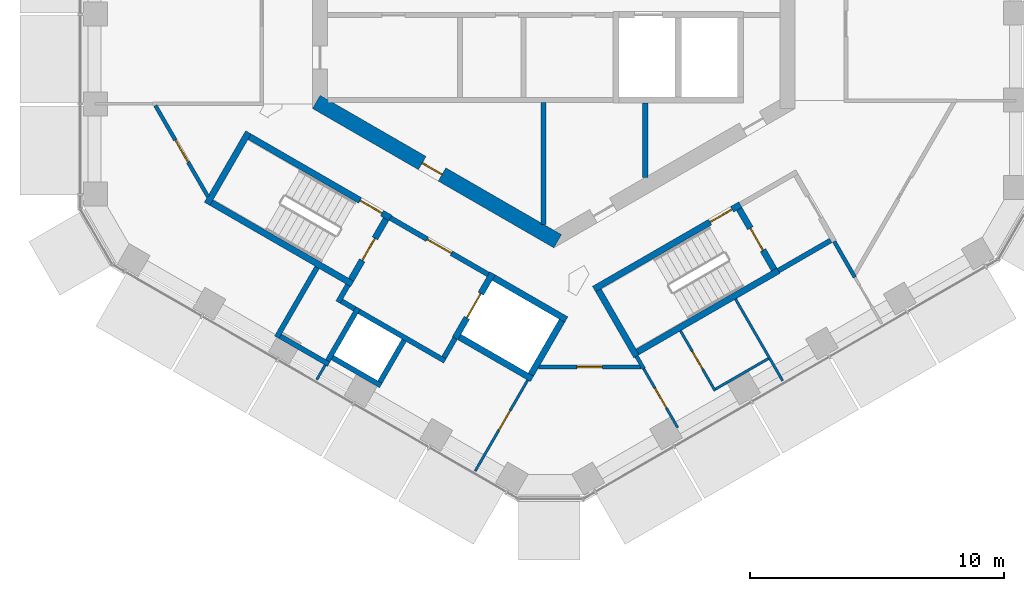
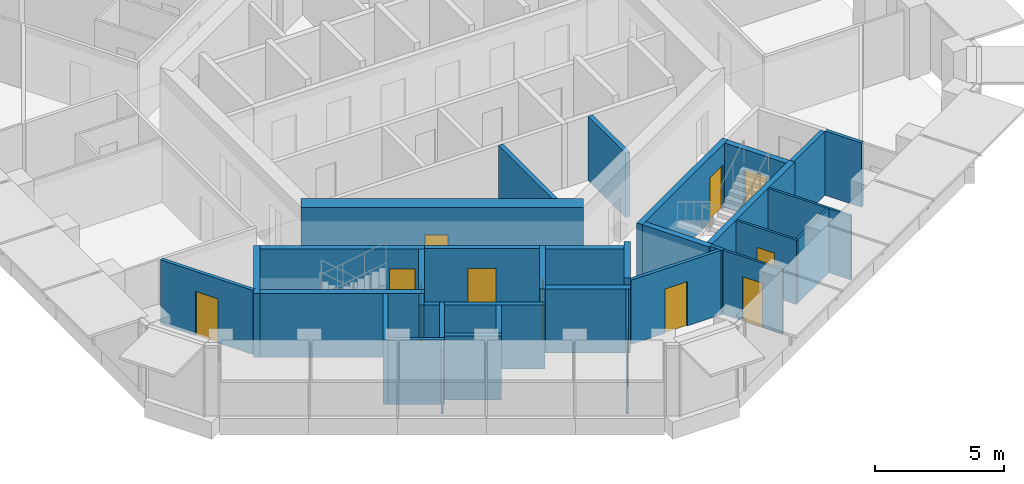
# One storey, part 13 of 18: 36 walls, 12 doors, 12 openings.
"""IFC4 building model written with IfcOpenShell, lengths in metres."""

from ifc_helpers import new_model, si_unit, direction, frame, frame_2d, origin, place, context, subcontext, project, spatial, rectangle, extrude, material, layer, layer_set, type_object, element, fill, save


model = new_model("IFC4")

# Units and contexts
model_context = context("Model", 3, precision=1e-05, world=origin(), true_north=direction((0.0, 1.0)))
body_context = subcontext(model_context, "Body", "Model", "MODEL_VIEW")
ifc_project = project(units=[si_unit("LENGTHUNIT", "METRE"), si_unit("AREAUNIT", "SQUARE_METRE"), si_unit("VOLUMEUNIT", "CUBIC_METRE"), si_unit("PLANEANGLEUNIT", "RADIAN"), si_unit("MASSUNIT", "GRAM", prefix="KILO")], contexts=[model_context])

# Site, building, storey
site_placement = place(None, origin())
site = spatial("IfcSite", under=ifc_project, at=site_placement, CompositionType="ELEMENT")
building_placement = place(site_placement, origin())
building = spatial("IfcBuilding", under=site, at=building_placement, Name="Ayvan Gate Tower", CompositionType="ELEMENT")
storey_placement = place(building_placement, frame((0.0, 0.0, 159.5)))
storey = spatial("IfcBuildingStorey", under=building, at=storey_placement, Name="L42", CompositionType="ELEMENT", Elevation=159.5)

# Wall, opening, door
ifc_material_1 = material(Name="Concrete C60/75", Category="concrete")
ifc_layer_1 = layer(ifc_material_1, 0.60009765625)
ifc_layer_set_1 = layer_set([ifc_layer_1], Name="Concrete C60/75")
wall_type_1 = type_object("IfcWallType", Name="Core wall 600 C60/75", PredefinedType="SHEAR", material=ifc_layer_set_1)
wall_1_placement = place(storey_placement, frame((-9.35009765625, -5.22509765625, 0.0), z_axis=(0.0, 0.0, 1.0), x_axis=(0.866023993627, -0.500002442456, 0.0)))
wall_1 = element("IfcWall", 1, at=wall_1_placement, inside=storey, type_object=wall_type_1, Name="CORE-L42-4", PredefinedType="SHEAR", context=body_context, shape_type="SweptSolid", body=[
    extrude(rectangle(XDim=10.9697265625, YDim=0.60009765625, at=frame_2d((5.48486328125, 0.0))), origin(), (0.0, 0.0, 1.0), 3.39990234375),
])
opening_1_placement = place(wall_1_placement, frame((4.81591796875, 0.0, 0.0)))
opening_1 = element("IfcOpeningElement", 2, at=opening_1_placement, cuts=wall_1, Name="Opening L42-D49", PredefinedType="OPENING", context=body_context, shape_type="SweptSolid", body=[
    extrude(rectangle(XDim=0.89990234375, YDim=2.10009765625, at=frame_2d((0.449951171875, 1.050048828125))), frame((0.0, 0.31005859375, 0.0), z_axis=(0.0, -1.0, 0.0), x_axis=(1.0, 0.0, 0.0)), (0.0, 0.0, 1.0), 0.6201171875),
])
ifc_material_2 = material(Name="Timber door leaf", Category="wood")
door_type_1 = type_object("IfcDoorType", Name="DT-900", OperationType="NOTDEFINED", PredefinedType="DOOR", material=ifc_material_2)
door_1_placement = place(opening_1_placement, origin())
door_1 = element("IfcDoor", 3, at=door_1_placement, inside=storey, type_object=door_type_1, Name="CD-L42-49", OperationType="SINGLE_SWING_LEFT", OverallHeight=2.10009765625, OverallWidth=0.89990234375, PredefinedType="DOOR", context=body_context, shape_type="SweptSolid", body=[
    extrude(rectangle(XDim=0.89990234375, YDim=2.10009765625, at=frame_2d((0.449951171875, 1.050048828125))), frame((0.0, 0.02490234375, 0.0), z_axis=(0.0, -1.0, 0.0), x_axis=(1.0, 0.0, 0.0)), (0.0, 0.0, 1.0), 0.050048828125),
])
fill(opening_1, door_1)

ifc_material_3 = material(Name="Plasterboard on steel stud", Category="steel")
ifc_layer_2 = layer(ifc_material_3, 0.14990234375)
ifc_layer_set_2 = layer_set([ifc_layer_2], Name="Plasterboard on steel stud")
wall_type_2 = type_object("IfcWallType", Name="WT-CORR-150", PredefinedType="PARTITIONING", material=ifc_layer_set_2)
wall_2_placement = place(storey_placement, frame((-13.611328125, -8.958984375, 0.0), z_axis=(0.0, 0.0, 1.0), x_axis=(-0.499994179242, 0.866028764375, 0.0)))
wall_2 = element("IfcWall", 4, at=wall_2_placement, inside=storey, type_object=wall_type_2, Name="IW-L42-008", PredefinedType="PARTITIONING", context=body_context, shape_type="SweptSolid", body=[
    extrude(rectangle(XDim=4.14794921875, YDim=0.14990234375, at=frame_2d((2.073974609375, 0.0))), origin(), (0.0, 0.0, 1.0), 3.050048828125),
])
opening_2_placement = place(wall_2_placement, frame((1.573974609375, 0.0, 0.0)))
opening_2 = element("IfcOpeningElement", 5, at=opening_2_placement, cuts=wall_2, Name="Opening L42-D32", PredefinedType="OPENING", context=body_context, shape_type="SweptSolid", body=[
    extrude(rectangle(XDim=1.0, YDim=2.10009765625, at=frame_2d((0.5, 1.050048828125))), frame((0.0, 0.0849609375, 0.0), z_axis=(0.0, -1.0, 0.0), x_axis=(1.0, 0.0, 0.0)), (0.0, 0.0, 1.0), 0.169921875),
])
door_type_2 = type_object("IfcDoorType", Name="DT-1000", OperationType="NOTDEFINED", PredefinedType="DOOR", material=ifc_material_2)
door_2_placement = place(opening_2_placement, origin())
door_2 = element("IfcDoor", 6, at=door_2_placement, inside=storey, type_object=door_type_2, Name="ID-L42-032", OperationType="SINGLE_SWING_RIGHT", OverallHeight=2.10009765625, OverallWidth=1.0, PredefinedType="DOOR", context=body_context, shape_type="SweptSolid", body=[
    extrude(rectangle(XDim=1.0, YDim=2.10009765625, at=frame_2d((0.5, 1.050048828125))), frame((0.0, 0.02490234375, 0.0), z_axis=(0.0, -1.0, 0.0), x_axis=(1.0, 0.0, 0.0)), (0.0, 0.0, 1.0), 0.050048828125),
])
fill(opening_2, door_2)

# Wall
wall_3_placement = place(storey_placement, frame((3.255615234375, -15.23876953125, 0.0), z_axis=(0.0, 0.0, 1.0), x_axis=(0.49987077196, -0.866100000774, 0.0)))
element("IfcWall", 7, at=wall_3_placement, inside=storey, type_object=wall_type_2, Name="IW-L42-068", PredefinedType="PARTITIONING", context=body_context, shape_type="SweptSolid", body=[
    extrude(rectangle(XDim=0.570068359375, YDim=0.14990234375, at=frame_2d((0.28515625, 0.0))), origin(), (0.0, 0.0, 1.0), 3.050048828125),
])

# Wall, opening, door
wall_4_placement = place(storey_placement, frame((3.427978515625, -15.66748046875, 0.0), z_axis=(0.0, 0.0, 1.0), x_axis=(-1.0, 0.0, 0.0)))
wall_4 = element("IfcWall", 8, at=wall_4_placement, inside=storey, type_object=wall_type_2, Name="IW-L42-071", PredefinedType="PARTITIONING", context=body_context, shape_type="SweptSolid", body=[
    extrude(rectangle(XDim=4.03466796875, YDim=0.14990234375, at=frame_2d((2.017333984375, 0.0))), origin(), (0.0, 0.0, 1.0), 3.050048828125),
])
opening_3_placement = place(wall_4_placement, frame((1.517333984375, 0.0, 0.0)))
opening_3 = element("IfcOpeningElement", 9, at=opening_3_placement, cuts=wall_4, Name="Opening L42-D33", PredefinedType="OPENING", context=body_context, shape_type="SweptSolid", body=[
    extrude(rectangle(XDim=1.0, YDim=2.10009765625, at=frame_2d((0.5, 1.050048828125))), frame((0.0, 0.0849609375, 0.0), z_axis=(0.0, -1.0, 0.0), x_axis=(1.0, 0.0, 0.0)), (0.0, 0.0, 1.0), 0.169921875),
])
door_3_placement = place(opening_3_placement, origin())
door_3 = element("IfcDoor", 10, at=door_3_placement, inside=storey, type_object=door_type_2, Name="ID-L42-033", OperationType="SINGLE_SWING_LEFT", OverallHeight=2.10009765625, OverallWidth=1.0, PredefinedType="DOOR", context=body_context, shape_type="SweptSolid", body=[
    extrude(rectangle(XDim=1.0, YDim=2.10009765625, at=frame_2d((0.5, 1.050048828125))), frame((0.0, 0.02490234375, 0.0), z_axis=(0.0, -1.0, 0.0), x_axis=(1.0, 0.0, 0.0)), (0.0, 0.0, 1.0), 0.050048828125),
])
fill(opening_3, door_3)

# Walls
wall_5_placement = place(storey_placement, frame((11.854248046875, -12.13232421875, 0.0), z_axis=(0.0, 0.0, 1.0), x_axis=(-0.499899205091, 0.866083589932, 0.0)))
element("IfcWall", 11, at=wall_5_placement, inside=storey, type_object=wall_type_2, Name="IW-L42-100", PredefinedType="PARTITIONING", context=body_context, shape_type="SweptSolid", body=[
    extrude(rectangle(XDim=1.634033203125, YDim=0.14990234375, at=frame_2d((0.81689453125, 0.0))), origin(), (0.0, 0.0, 1.0), 3.050048828125),
])
ifc_layer_3 = layer(ifc_material_3, 0.10009765625)
ifc_layer_set_3 = layer_set([ifc_layer_3], Name="Plasterboard on steel stud")
wall_type_3 = type_object("IfcWallType", Name="WT-PART-100", PredefinedType="PARTITIONING", material=ifc_layer_set_3)
wall_6_placement = place(storey_placement, frame((-9.0, -15.58837890625, 0.0), z_axis=(0.0, 0.0, 1.0), x_axis=(-0.500011643316, -0.866018681408, 0.0)))
element("IfcWall", 12, at=wall_6_placement, inside=storey, type_object=wall_type_3, Name="IW-L42-019", PredefinedType="PARTITIONING", context=body_context, shape_type="SweptSolid", body=[
    extrude(rectangle(XDim=0.65771484375, YDim=0.10009765625, at=frame_2d((0.328857421875, 0.0))), origin(), (0.0, 0.0, 1.0), 3.050048828125),
])

# Wall, opening, door
wall_7_placement = place(storey_placement, frame((-3.093505859375, -19.7578125, 0.0), z_axis=(0.0, 0.0, 1.0), x_axis=(0.500027577057, 0.866009481578, 0.0)))
wall_7 = element("IfcWall", 13, at=wall_7_placement, inside=storey, type_object=wall_type_3, Name="IW-L42-046", PredefinedType="PARTITIONING", context=body_context, shape_type="SweptSolid", body=[
    extrude(rectangle(XDim=4.132568359375, YDim=0.10009765625, at=frame_2d((2.06640625, 0.0))), origin(), (0.0, 0.0, 1.0), 3.050048828125),
])
opening_4_placement = place(wall_7_placement, frame((1.851806640625, 0.0, 0.0)))
opening_4 = element("IfcOpeningElement", 14, at=opening_4_placement, cuts=wall_7, Name="Opening L42-D34", PredefinedType="OPENING", context=body_context, shape_type="SweptSolid", body=[
    extrude(rectangle(XDim=0.89990234375, YDim=2.10009765625, at=frame_2d((0.449951171875, 1.050048828125))), frame((0.0, 0.06005859375, 0.0), z_axis=(0.0, -1.0, 0.0), x_axis=(1.0, 0.0, 0.0)), (0.0, 0.0, 1.0), 0.1201171875),
])
door_4_placement = place(opening_4_placement, origin())
door_4 = element("IfcDoor", 15, at=door_4_placement, inside=storey, type_object=door_type_1, Name="ID-L42-034", OperationType="SINGLE_SWING_RIGHT", OverallHeight=2.10009765625, OverallWidth=0.89990234375, PredefinedType="DOOR", context=body_context, shape_type="SweptSolid", body=[
    extrude(rectangle(XDim=0.89990234375, YDim=2.10009765625, at=frame_2d((0.449951171875, 1.050048828125))), frame((0.0, 0.02490234375, 0.0), z_axis=(0.0, -1.0, 0.0), x_axis=(1.0, 0.0, 0.0)), (0.0, 0.0, 1.0), 0.050048828125),
])
fill(opening_4, door_4)

wall_8_placement = place(storey_placement, frame((3.54052734375, -15.732421875, 0.0), z_axis=(0.0, 0.0, 1.0), x_axis=(0.500009734663, -0.866019783401, 0.0)))
wall_8 = element("IfcWall", 16, at=wall_8_placement, inside=storey, type_object=wall_type_3, Name="IW-L42-072", PredefinedType="PARTITIONING", context=body_context, shape_type="SweptSolid", body=[
    extrude(rectangle(XDim=2.6728515625, YDim=0.10009765625, at=frame_2d((1.33642578125, 0.0))), origin(), (0.0, 0.0, 1.0), 3.050048828125),
])
opening_5_placement = place(wall_8_placement, frame((0.886474609375, 0.0, 0.0)))
opening_5 = element("IfcOpeningElement", 17, at=opening_5_placement, cuts=wall_8, Name="Opening L42-D35", PredefinedType="OPENING", context=body_context, shape_type="SweptSolid", body=[
    extrude(rectangle(XDim=0.89990234375, YDim=2.10009765625, at=frame_2d((0.449951171875, 1.050048828125))), frame((0.0, 0.06005859375, 0.0), z_axis=(0.0, -1.0, 0.0), x_axis=(1.0, 0.0, 0.0)), (0.0, 0.0, 1.0), 0.1201171875),
])
door_5_placement = place(opening_5_placement, origin())
door_5 = element("IfcDoor", 18, at=door_5_placement, inside=storey, type_object=door_type_1, Name="ID-L42-035", OperationType="SINGLE_SWING_LEFT", OverallHeight=2.10009765625, OverallWidth=0.89990234375, PredefinedType="DOOR", context=body_context, shape_type="SweptSolid", body=[
    extrude(rectangle(XDim=0.89990234375, YDim=2.10009765625, at=frame_2d((0.449951171875, 1.050048828125))), frame((0.0, 0.02490234375, 0.0), z_axis=(0.0, -1.0, 0.0), x_axis=(1.0, 0.0, 0.0)), (0.0, 0.0, 1.0), 0.050048828125),
])
fill(opening_5, door_5)

wall_9_placement = place(storey_placement, frame((4.987548828125, -14.23876953125, 0.0), z_axis=(0.0, 0.0, 1.0), x_axis=(0.500022328685, -0.866012511928, 0.0)))
wall_9 = element("IfcWall", 19, at=wall_9_placement, inside=storey, type_object=wall_type_3, Name="IW-L42-080", PredefinedType="PARTITIONING", context=body_context, shape_type="SweptSolid", body=[
    extrude(rectangle(XDim=2.72509765625, YDim=0.10009765625, at=frame_2d((1.362548828125, 0.0))), origin(), (0.0, 0.0, 1.0), 3.050048828125),
])
opening_6_placement = place(wall_9_placement, frame((0.9375, 0.0, 0.0)))
opening_6 = element("IfcOpeningElement", 20, at=opening_6_placement, cuts=wall_9, Name="Opening L42-D36", PredefinedType="OPENING", context=body_context, shape_type="SweptSolid", body=[
    extrude(rectangle(XDim=0.800048828125, YDim=2.10009765625, at=frame_2d((0.39990234375, 1.050048828125))), frame((0.0, 0.06005859375, 0.0), z_axis=(0.0, -1.0, 0.0), x_axis=(1.0, 0.0, 0.0)), (0.0, 0.0, 1.0), 0.1201171875),
])
door_type_3 = type_object("IfcDoorType", Name="DT-800", OperationType="NOTDEFINED", PredefinedType="DOOR", material=ifc_material_2)
door_6_placement = place(opening_6_placement, origin())
door_6 = element("IfcDoor", 21, at=door_6_placement, inside=storey, type_object=door_type_3, Name="ID-L42-036", OperationType="SINGLE_SWING_RIGHT", OverallHeight=2.10009765625, OverallWidth=0.800048828125, PredefinedType="DOOR", context=body_context, shape_type="SweptSolid", body=[
    extrude(rectangle(XDim=0.800048828125, YDim=2.10009765625, at=frame_2d((0.39990234375, 1.050048828125))), frame((0.0, 0.02490234375, 0.0), z_axis=(0.0, -1.0, 0.0), x_axis=(1.0, 0.0, 0.0)), (0.0, 0.0, 1.0), 0.050048828125),
])
fill(opening_6, door_6)

# Walls
wall_10_placement = place(storey_placement, frame((6.368408203125, -16.530517578125, 0.0), z_axis=(0.0, 0.0, 1.0), x_axis=(0.866006032174, 0.500033551112, 0.0)))
element("IfcWall", 22, at=wall_10_placement, inside=storey, type_object=wall_type_3, Name="IW-L42-082", PredefinedType="PARTITIONING", context=body_context, shape_type="SweptSolid", body=[
    extrude(rectangle(XDim=2.400146484375, YDim=0.10009765625, at=frame_2d((1.2001953125, 0.0))), origin(), (0.0, 0.0, 1.0), 3.050048828125),
])
wall_11_placement = place(storey_placement, frame((7.152587890625, -12.98876953125, 0.0), z_axis=(0.0, 0.0, 1.0), x_axis=(0.499999386358, -0.86602575807, 0.0)))
element("IfcWall", 23, at=wall_11_placement, inside=storey, type_object=wall_type_3, Name="IW-L42-085", PredefinedType="PARTITIONING", context=body_context, shape_type="SweptSolid", body=[
    extrude(rectangle(XDim=3.7138671875, YDim=0.10009765625, at=frame_2d((1.85693359375, 0.0))), origin(), (0.0, 0.0, 1.0), 3.050048828125),
])
ifc_layer_4 = layer(ifc_material_3, 0.199951171875)
ifc_layer_set_4 = layer_set([ifc_layer_4], Name="Plasterboard on steel stud")
wall_type_4 = type_object("IfcWallType", Name="WT-PLUMB-200", PredefinedType="PLUMBINGWALL", material=ifc_layer_set_4)
wall_12_placement = place(storey_placement, frame((-10.9052734375, -14.488525390625, 0.0), z_axis=(0.0, 0.0, 1.0), x_axis=(0.499959856469, 0.866048579423, 0.0)))
element("IfcWall", 24, at=wall_12_placement, inside=storey, type_object=wall_type_4, Name="IW-L42-014", PredefinedType="PLUMBINGWALL", context=body_context, shape_type="SweptSolid", body=[
    extrude(rectangle(XDim=3.175048828125, YDim=0.199951171875, at=frame_2d((1.58740234375, 0.0))), origin(), (0.0, 0.0, 1.0), 3.050048828125),
])
wall_13_placement = place(storey_placement, frame((-8.86328125, -15.552001953125, 0.0), z_axis=(0.0, 0.0, 1.0), x_axis=(-0.866035918664, 0.499981787252, 0.0)))
element("IfcWall", 25, at=wall_13_placement, inside=storey, type_object=wall_type_4, Name="IW-L42-018", PredefinedType="PLUMBINGWALL", context=body_context, shape_type="SweptSolid", body=[
    extrude(rectangle(XDim=2.2001953125, YDim=0.199951171875, at=frame_2d((1.10009765625, 0.0))), origin(), (0.0, 0.0, 1.0), 3.050048828125),
])
wall_14_placement = place(storey_placement, frame((-8.492919921875, -13.110107421875, 0.0), z_axis=(0.0, 0.0, 1.0), x_axis=(0.500067724834, 0.865986299303, 0.0)))
element("IfcWall", 26, at=wall_14_placement, inside=storey, type_object=wall_type_4, Name="IW-L42-022", PredefinedType="PLUMBINGWALL", context=body_context, shape_type="SweptSolid", body=[
    extrude(rectangle(XDim=0.775390625, YDim=0.199951171875, at=frame_2d((0.3876953125, 0.0))), origin(), (0.0, 0.0, 1.0), 3.050048828125),
])
wall_15_placement = place(storey_placement, frame((-7.699951171875, -13.3369140625, 0.0), z_axis=(0.0, 0.0, 1.0), x_axis=(-0.500001309137, -0.866024647952, 0.0)))
element("IfcWall", 27, at=wall_15_placement, inside=storey, type_object=wall_type_4, Name="IW-L42-025", PredefinedType="PLUMBINGWALL", context=body_context, shape_type="SweptSolid", body=[
    extrude(rectangle(XDim=2.39990234375, YDim=0.199951171875, at=frame_2d((1.199951171875, 0.0))), origin(), (0.0, 0.0, 1.0), 3.050048828125),
])
wall_16_placement = place(storey_placement, frame((-7.83642578125, -13.373291015625, 0.0), z_axis=(0.0, 0.0, 1.0), x_axis=(-0.866232998003, 0.499640263761, 0.0)))
element("IfcWall", 28, at=wall_16_placement, inside=storey, type_object=wall_type_4, Name="IW-L42-026", PredefinedType="PLUMBINGWALL", context=body_context, shape_type="SweptSolid", body=[
    extrude(rectangle(XDim=0.60009765625, YDim=0.199951171875, at=frame_2d((0.300048828125, 0.0))), origin(), (0.0, 0.0, 1.0), 3.050048828125),
])
wall_17_placement = place(storey_placement, frame((-6.80810546875, -16.39208984375, 0.0), z_axis=(0.0, 0.0, 1.0), x_axis=(-0.866008176907, 0.50002983664, 0.0)))
element("IfcWall", 29, at=wall_17_placement, inside=storey, type_object=wall_type_4, Name="IW-L42-030", PredefinedType="PLUMBINGWALL", context=body_context, shape_type="SweptSolid", body=[
    extrude(rectangle(XDim=2.199951171875, YDim=0.199951171875, at=frame_2d((1.10009765625, 0.0))), origin(), (0.0, 0.0, 1.0), 3.050048828125),
])
wall_18_placement = place(storey_placement, frame((-5.894775390625, -14.610107421875, 0.0), z_axis=(0.0, 0.0, 1.0), x_axis=(-0.500022797313, -0.86601224135, 0.0)))
element("IfcWall", 30, at=wall_18_placement, inside=storey, type_object=wall_type_4, Name="IW-L42-034", PredefinedType="PLUMBINGWALL", context=body_context, shape_type="SweptSolid", body=[
    extrude(rectangle(XDim=1.89990234375, YDim=0.199951171875, at=frame_2d((0.949951171875, 0.0))), origin(), (0.0, 0.0, 1.0), 3.050048828125),
])

# Wall, opening, door
ifc_layer_5 = layer(ifc_material_3, 0.199951171875)
ifc_layer_set_5 = layer_set([ifc_layer_5], Name="Plasterboard on steel stud")
wall_type_5 = type_object("IfcWallType", Name="WT-RATED-200", PredefinedType="PARTITIONING", material=ifc_layer_set_5)
wall_19_placement = place(storey_placement, frame((-6.4345703125, -9.794921875, 0.0), z_axis=(0.0, 0.0, 1.0), x_axis=(0.866012907634, -0.500021643343, 0.0)))
wall_19 = element("IfcWall", 31, at=wall_19_placement, inside=storey, type_object=wall_type_5, Name="IW-L42-033", PredefinedType="PARTITIONING", context=body_context, shape_type="SweptSolid", body=[
    extrude(rectangle(XDim=4.449951171875, YDim=0.199951171875, at=frame_2d((2.22509765625, 0.0))), origin(), (0.0, 0.0, 1.0), 3.050048828125),
])
opening_7_placement = place(wall_19_placement, frame((1.675048828125, 0.0, 0.0)))
opening_7 = element("IfcOpeningElement", 32, at=opening_7_placement, cuts=wall_19, Name="Opening L42-D17", PredefinedType="OPENING", context=body_context, shape_type="SweptSolid", body=[
    extrude(rectangle(XDim=1.10009765625, YDim=2.10009765625, at=frame_2d((0.550048828125, 1.050048828125))), frame((0.0, 0.10986328125, 0.0), z_axis=(0.0, -1.0, 0.0), x_axis=(1.0, 0.0, 0.0)), (0.0, 0.0, 1.0), 0.219970703125),
])
door_type_4 = type_object("IfcDoorType", Name="DT-1100", OperationType="NOTDEFINED", PredefinedType="DOOR", material=ifc_material_2)
door_7_placement = place(opening_7_placement, origin())
door_7 = element("IfcDoor", 33, at=door_7_placement, inside=storey, type_object=door_type_4, Name="ID-L42-017", OperationType="SINGLE_SWING_LEFT", OverallHeight=2.10009765625, OverallWidth=1.10009765625, PredefinedType="DOOR", context=body_context, shape_type="SweptSolid", body=[
    extrude(rectangle(XDim=1.10009765625, YDim=2.10009765625, at=frame_2d((0.550048828125, 1.050048828125))), frame((0.0, 0.02490234375, 0.0), z_axis=(0.0, -1.0, 0.0), x_axis=(1.0, 0.0, 0.0)), (0.0, 0.0, 1.0), 0.050048828125),
])
fill(opening_7, door_7)

# Walls
wall_20_placement = place(storey_placement, frame((-4.285888671875, -15.42333984375, 0.0), z_axis=(0.0, 0.0, 1.0), x_axis=(-0.866042777325, 0.499969906938, 0.0)))
element("IfcWall", 34, at=wall_20_placement, inside=storey, type_object=wall_type_5, Name="IW-L42-038", PredefinedType="PARTITIONING", context=body_context, shape_type="SweptSolid", body=[
    extrude(rectangle(XDim=3.900146484375, YDim=0.199951171875, at=frame_2d((1.9501953125, 0.0))), origin(), (0.0, 0.0, 1.0), 3.050048828125),
])
wall_21_placement = place(storey_placement, frame((-3.885009765625, -14.52880859375, 0.0), z_axis=(0.0, 0.0, 1.0), x_axis=(-0.499859285417, -0.866106630146, 0.0)))
element("IfcWall", 35, at=wall_21_placement, inside=storey, type_object=wall_type_5, Name="IW-L42-041", PredefinedType="PARTITIONING", context=body_context, shape_type="SweptSolid", body=[
    extrude(rectangle(XDim=0.875244140625, YDim=0.199951171875, at=frame_2d((0.4375, 0.0))), origin(), (0.0, 0.0, 1.0), 3.050048828125),
])
wall_22_placement = place(storey_placement, frame((-0.39990234375, -5.25, 0.0), z_axis=(0.0, 0.0, 1.0), x_axis=(0.0, -1.0, 0.0)))
element("IfcWall", 36, at=wall_22_placement, inside=storey, type_object=wall_type_5, Name="IW-L42-056", PredefinedType="PARTITIONING", context=body_context, shape_type="SweptSolid", body=[
    extrude(rectangle(XDim=4.7958984375, YDim=0.199951171875, at=frame_2d((2.39794921875, 0.0))), origin(), (0.0, 0.0, 1.0), 3.050048828125),
])
wall_23_placement = place(storey_placement, frame((3.60009765625, -5.27490234375, 0.0), z_axis=(0.0, 0.0, 1.0), x_axis=(0.0, -1.0, 0.0)))
element("IfcWall", 37, at=wall_23_placement, inside=storey, type_object=wall_type_5, Name="IW-L42-073", PredefinedType="PARTITIONING", context=body_context, shape_type="SweptSolid", body=[
    extrude(rectangle(XDim=2.923583984375, YDim=0.199951171875, at=frame_2d((1.4619140625, 0.0))), origin(), (0.0, 0.0, 1.0), 3.050048828125),
])
wall_24_placement = place(storey_placement, frame((10.900634765625, -10.6806640625, 0.0), z_axis=(0.0, 0.0, 1.0), x_axis=(-0.866007538022, -0.500030943131, 0.0)))
element("IfcWall", 38, at=wall_24_placement, inside=storey, type_object=wall_type_5, Name="IW-L42-096", PredefinedType="PARTITIONING", context=body_context, shape_type="SweptSolid", body=[
    extrude(rectangle(XDim=2.374755859375, YDim=0.199951171875, at=frame_2d((1.1875, 0.0))), origin(), (0.0, 0.0, 1.0), 3.050048828125),
])
ifc_material_4 = material(Name="Concrete C50/60", Category="concrete")
ifc_layer_6 = layer(ifc_material_4, 0.25)
ifc_layer_set_6 = layer_set([ifc_layer_6], Name="Concrete C50/60")
wall_type_6 = type_object("IfcWallType", Name="WT-RC-250", PredefinedType="SHEAR", material=ifc_layer_set_6)
wall_25_placement = place(storey_placement, frame((-13.64794921875, -9.23876953125, 0.0), z_axis=(0.0, 0.0, 1.0), x_axis=(0.500017246033, 0.866015446554, 0.0)))
element("IfcWall", 39, at=wall_25_placement, inside=storey, type_object=wall_type_6, Name="IW-L42-006", PredefinedType="SHEAR", context=body_context, shape_type="SweptSolid", body=[
    extrude(rectangle(XDim=3.25, YDim=0.25, at=frame_2d((1.625, 0.0))), origin(), (0.0, 0.0, 1.0), 3.050048828125),
])

# Wall, opening, door
wall_26_placement = place(storey_placement, frame((-11.97705078125, -6.594970703125, 0.0), z_axis=(0.0, 0.0, 1.0), x_axis=(0.866025499775, -0.499999833739, 0.0)))
wall_26 = element("IfcWall", 40, at=wall_26_placement, inside=storey, type_object=wall_type_6, Name="IW-L42-010", PredefinedType="SHEAR", context=body_context, shape_type="SweptSolid", body=[
    extrude(rectangle(XDim=6.39990234375, YDim=0.25, at=frame_2d((3.199951171875, 0.0))), origin(), (0.0, 0.0, 1.0), 3.050048828125),
])
opening_8_placement = place(wall_26_placement, frame((5.02490234375, 0.0, 0.0)))
opening_8 = element("IfcOpeningElement", 41, at=opening_8_placement, cuts=wall_26, Name="Opening L42-D15", PredefinedType="OPENING", context=body_context, shape_type="SweptSolid", body=[
    extrude(rectangle(XDim=1.0, YDim=2.10009765625, at=frame_2d((0.5, 1.050048828125))), frame((0.0, 0.135009765625, 0.0), z_axis=(0.0, -1.0, 0.0), x_axis=(1.0, 0.0, 0.0)), (0.0, 0.0, 1.0), 0.27001953125),
])
door_8_placement = place(opening_8_placement, origin())
door_8 = element("IfcDoor", 42, at=door_8_placement, inside=storey, type_object=door_type_2, Name="ID-L42-015", OperationType="SINGLE_SWING_LEFT", OverallHeight=2.10009765625, OverallWidth=1.0, PredefinedType="DOOR", context=body_context, shape_type="SweptSolid", body=[
    extrude(rectangle(XDim=1.0, YDim=2.10009765625, at=frame_2d((0.5, 1.050048828125))), frame((0.0, 0.02490234375, 0.0), z_axis=(0.0, -1.0, 0.0), x_axis=(1.0, 0.0, 0.0)), (0.0, 0.0, 1.0), 0.050048828125),
])
fill(opening_8, door_8)

# Wall
wall_27_placement = place(storey_placement, frame((-13.47705078125, -9.193115234375, 0.0), z_axis=(0.0, 0.0, 1.0), x_axis=(0.866025499775, -0.499999833739, 0.0)))
element("IfcWall", 43, at=wall_27_placement, inside=storey, type_object=wall_type_6, Name="IW-L42-017", PredefinedType="SHEAR", context=body_context, shape_type="SweptSolid", body=[
    extrude(rectangle(XDim=6.39990234375, YDim=0.25, at=frame_2d((3.199951171875, 0.0))), origin(), (0.0, 0.0, 1.0), 3.050048828125),
])

# Wall, opening, door
wall_28_placement = place(storey_placement, frame((-6.605224609375, -9.8408203125, 0.0), z_axis=(0.0, 0.0, 1.0), x_axis=(-0.499996545922, -0.866027397988, 0.0)))
wall_28 = element("IfcWall", 44, at=wall_28_placement, inside=storey, type_object=wall_type_6, Name="IW-L42-032", PredefinedType="SHEAR", context=body_context, shape_type="SweptSolid", body=[
    extrude(rectangle(XDim=2.75, YDim=0.25, at=frame_2d((1.375, 0.0))), origin(), (0.0, 0.0, 1.0), 3.050048828125),
])
opening_9_placement = place(wall_28_placement, frame((0.875, 0.0, 0.0)))
opening_9 = element("IfcOpeningElement", 45, at=opening_9_placement, cuts=wall_28, Name="Opening L42-D16", PredefinedType="OPENING", context=body_context, shape_type="SweptSolid", body=[
    extrude(rectangle(XDim=1.0, YDim=2.10009765625, at=frame_2d((0.5, 1.050048828125))), frame((0.0, 0.135009765625, 0.0), z_axis=(0.0, -1.0, 0.0), x_axis=(1.0, 0.0, 0.0)), (0.0, 0.0, 1.0), 0.27001953125),
])
door_9_placement = place(opening_9_placement, origin())
door_9 = element("IfcDoor", 46, at=door_9_placement, inside=storey, type_object=door_type_2, Name="ID-L42-016", OperationType="SINGLE_SWING_RIGHT", OverallHeight=2.10009765625, OverallWidth=1.0, PredefinedType="DOOR", context=body_context, shape_type="SweptSolid", body=[
    extrude(rectangle(XDim=1.0, YDim=2.10009765625, at=frame_2d((0.5, 1.050048828125))), frame((0.0, 0.02490234375, 0.0), z_axis=(0.0, -1.0, 0.0), x_axis=(1.0, 0.0, 0.0)), (0.0, 0.0, 1.0), 0.050048828125),
])
fill(opening_9, door_9)

wall_29_placement = place(storey_placement, frame((-2.409912109375, -11.97412109375, 0.0), z_axis=(0.0, 0.0, 1.0), x_axis=(-0.500001826776, -0.866024349092, 0.0)))
wall_29 = element("IfcWall", 47, at=wall_29_placement, inside=storey, type_object=wall_type_6, Name="IW-L42-047", PredefinedType="SHEAR", context=body_context, shape_type="SweptSolid", body=[
    extrude(rectangle(XDim=2.9501953125, YDim=0.25, at=frame_2d((1.47509765625, 0.0))), origin(), (0.0, 0.0, 1.0), 3.050048828125),
])
opening_10_placement = place(wall_29_placement, frame((0.925048828125, 0.0, 0.0)))
opening_10 = element("IfcOpeningElement", 48, at=opening_10_placement, cuts=wall_29, Name="Opening L42-LD-FF2", PredefinedType="OPENING", context=body_context, shape_type="SweptSolid", body=[
    extrude(rectangle(XDim=1.10009765625, YDim=2.10009765625, at=frame_2d((0.550048828125, 1.050048828125))), frame((0.0, 0.135009765625, 0.0), z_axis=(0.0, -1.0, 0.0), x_axis=(1.0, 0.0, 0.0)), (0.0, 0.0, 1.0), 0.27001953125),
])
ifc_material_5 = material(Name="Stainless steel landing door", Category="steel")
door_type_5 = type_object("IfcDoorType", Name="DT-LANDING-1100", OperationType="SLIDING_TO_LEFT", PredefinedType="DOOR", material=ifc_material_5)
door_10_placement = place(opening_10_placement, origin())
door_10 = element("IfcDoor", 49, at=door_10_placement, inside=storey, type_object=door_type_5, Name="ID-L42-018", OperationType="SLIDING_TO_LEFT", OverallHeight=2.10009765625, OverallWidth=1.10009765625, PredefinedType="DOOR", context=body_context, shape_type="SweptSolid", body=[
    extrude(rectangle(XDim=1.10009765625, YDim=2.10009765625, at=frame_2d((0.550048828125, 1.050048828125))), frame((0.0, 0.02490234375, 0.0), z_axis=(0.0, -1.0, 0.0), x_axis=(1.0, 0.0, 0.0)), (0.0, 0.0, 1.0), 0.050048828125),
])
fill(opening_10, door_10)

# Walls
wall_30_placement = place(storey_placement, frame((-2.3642578125, -12.14501953125, 0.0), z_axis=(0.0, 0.0, 1.0), x_axis=(0.866040211805, -0.499974350878, 0.0)))
element("IfcWall", 50, at=wall_30_placement, inside=storey, type_object=wall_type_6, Name="IW-L42-048", PredefinedType="SHEAR", context=body_context, shape_type="SweptSolid", body=[
    extrude(rectangle(XDim=3.300048828125, YDim=0.25, at=frame_2d((1.64990234375, 0.0))), origin(), (0.0, 0.0, 1.0), 3.050048828125),
])
wall_31_placement = place(storey_placement, frame((-0.8564453125, -16.13330078125, 0.0), z_axis=(0.0, 0.0, 1.0), x_axis=(-0.866021716278, 0.500006386895, 0.0)))
element("IfcWall", 51, at=wall_31_placement, inside=storey, type_object=wall_type_6, Name="IW-L42-054", PredefinedType="SHEAR", context=body_context, shape_type="SweptSolid", body=[
    extrude(rectangle(XDim=3.2998046875, YDim=0.25, at=frame_2d((1.64990234375, 0.0))), origin(), (0.0, 0.0, 1.0), 3.050048828125),
])
wall_32_placement = place(storey_placement, frame((-0.902099609375, -15.96240234375, 0.0), z_axis=(0.0, 0.0, 1.0), x_axis=(0.500061746146, 0.865989751695, 0.0)))
element("IfcWall", 52, at=wall_32_placement, inside=storey, type_object=wall_type_6, Name="IW-L42-055", PredefinedType="SHEAR", context=body_context, shape_type="SweptSolid", body=[
    extrude(rectangle(XDim=2.449951171875, YDim=0.25, at=frame_2d((1.22509765625, 0.0))), origin(), (0.0, 0.0, 1.0), 3.39990234375),
])

# Wall, opening, door
wall_33_placement = place(storey_placement, frame((1.584716796875, -12.594970703125, 0.0), z_axis=(0.0, 0.0, 1.0), x_axis=(0.866036417653, 0.499980922934, 0.0)))
wall_33 = element("IfcWall", 53, at=wall_33_placement, inside=storey, type_object=wall_type_6, Name="IW-L42-062", PredefinedType="SHEAR", context=body_context, shape_type="SweptSolid", body=[
    extrude(rectangle(XDim=6.650146484375, YDim=0.25, at=frame_2d((3.3251953125, 0.0))), origin(), (0.0, 0.0, 1.0), 3.050048828125),
])
opening_11_placement = place(wall_33_placement, frame((5.27490234375, 0.0, 0.0)))
opening_11 = element("IfcOpeningElement", 54, at=opening_11_placement, cuts=wall_33, Name="Opening L42-D19", PredefinedType="OPENING", context=body_context, shape_type="SweptSolid", body=[
    extrude(rectangle(XDim=1.0, YDim=2.10009765625, at=frame_2d((0.5, 1.050048828125))), frame((0.0, 0.135009765625, 0.0), z_axis=(0.0, -1.0, 0.0), x_axis=(1.0, 0.0, 0.0)), (0.0, 0.0, 1.0), 0.27001953125),
])
door_11_placement = place(opening_11_placement, origin())
door_11 = element("IfcDoor", 55, at=door_11_placement, inside=storey, type_object=door_type_2, Name="ID-L42-019", OperationType="SINGLE_SWING_LEFT", OverallHeight=2.10009765625, OverallWidth=1.0, PredefinedType="DOOR", context=body_context, shape_type="SweptSolid", body=[
    extrude(rectangle(XDim=1.0, YDim=2.10009765625, at=frame_2d((0.5, 1.050048828125))), frame((0.0, 0.02490234375, 0.0), z_axis=(0.0, -1.0, 0.0), x_axis=(1.0, 0.0, 0.0)), (0.0, 0.0, 1.0), 0.050048828125),
])
fill(opening_11, door_11)

# Walls
wall_34_placement = place(storey_placement, frame((3.255615234375, -15.23876953125, 0.0), z_axis=(0.0, 0.0, 1.0), x_axis=(-0.50002537861, 0.866010750942, 0.0)))
element("IfcWall", 56, at=wall_34_placement, inside=storey, type_object=wall_type_6, Name="IW-L42-069", PredefinedType="SHEAR", context=body_context, shape_type="SweptSolid", body=[
    extrude(rectangle(XDim=2.999755859375, YDim=0.25, at=frame_2d((1.5, 0.0))), origin(), (0.0, 0.0, 1.0), 3.050048828125),
])
wall_35_placement = place(storey_placement, frame((3.30126953125, -15.068115234375, 0.0), z_axis=(0.0, 0.0, 1.0), x_axis=(0.866035036182, 0.499983315828, 0.0)))
element("IfcWall", 57, at=wall_35_placement, inside=storey, type_object=wall_type_6, Name="IW-L42-081", PredefinedType="SHEAR", context=body_context, shape_type="SweptSolid", body=[
    extrude(rectangle(XDim=6.400146484375, YDim=0.25, at=frame_2d((3.2001953125, 0.0))), origin(), (0.0, 0.0, 1.0), 3.050048828125),
])

# Wall, opening, door
wall_36_placement = place(storey_placement, frame((7.298095703125, -9.44091796875, 0.0), z_axis=(0.0, 0.0, 1.0), x_axis=(0.500034990121, -0.866005201286, 0.0)))
wall_36 = element("IfcWall", 58, at=wall_36_placement, inside=storey, type_object=wall_type_6, Name="IW-L42-086", PredefinedType="SHEAR", context=body_context, shape_type="SweptSolid", body=[
    extrude(rectangle(XDim=2.749755859375, YDim=0.25, at=frame_2d((1.375, 0.0))), origin(), (0.0, 0.0, 1.0), 3.050048828125),
])
opening_12_placement = place(wall_36_placement, frame((0.875, 0.0, 0.0)))
opening_12 = element("IfcOpeningElement", 59, at=opening_12_placement, cuts=wall_36, Name="Opening L42-D21", PredefinedType="OPENING", context=body_context, shape_type="SweptSolid", body=[
    extrude(rectangle(XDim=1.0, YDim=2.10009765625, at=frame_2d((0.5, 1.050048828125))), frame((0.0, 0.135009765625, 0.0), z_axis=(0.0, -1.0, 0.0), x_axis=(1.0, 0.0, 0.0)), (0.0, 0.0, 1.0), 0.27001953125),
])
door_12_placement = place(opening_12_placement, origin())
door_12 = element("IfcDoor", 60, at=door_12_placement, inside=storey, type_object=door_type_2, Name="ID-L42-021", OperationType="SINGLE_SWING_LEFT", OverallHeight=2.10009765625, OverallWidth=1.0, PredefinedType="DOOR", context=body_context, shape_type="SweptSolid", body=[
    extrude(rectangle(XDim=1.0, YDim=2.10009765625, at=frame_2d((0.5, 1.050048828125))), frame((0.0, 0.02490234375, 0.0), z_axis=(0.0, -1.0, 0.0), x_axis=(1.0, 0.0, 0.0)), (0.0, 0.0, 1.0), 0.050048828125),
])
fill(opening_12, door_12)

save(model, "model.ifc")
